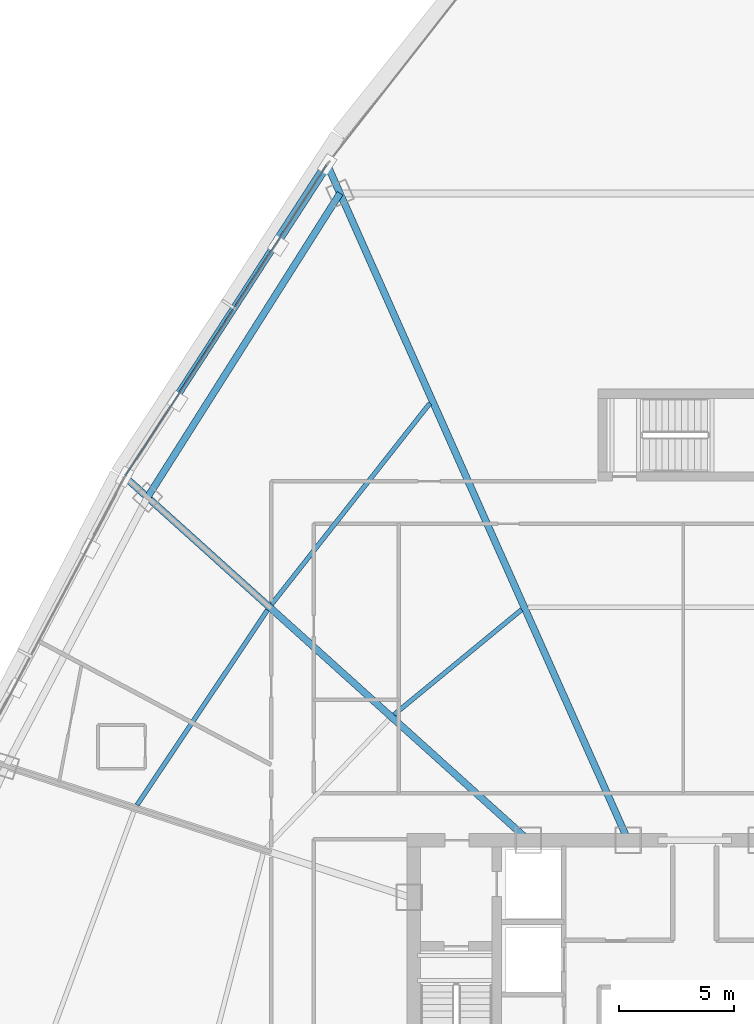
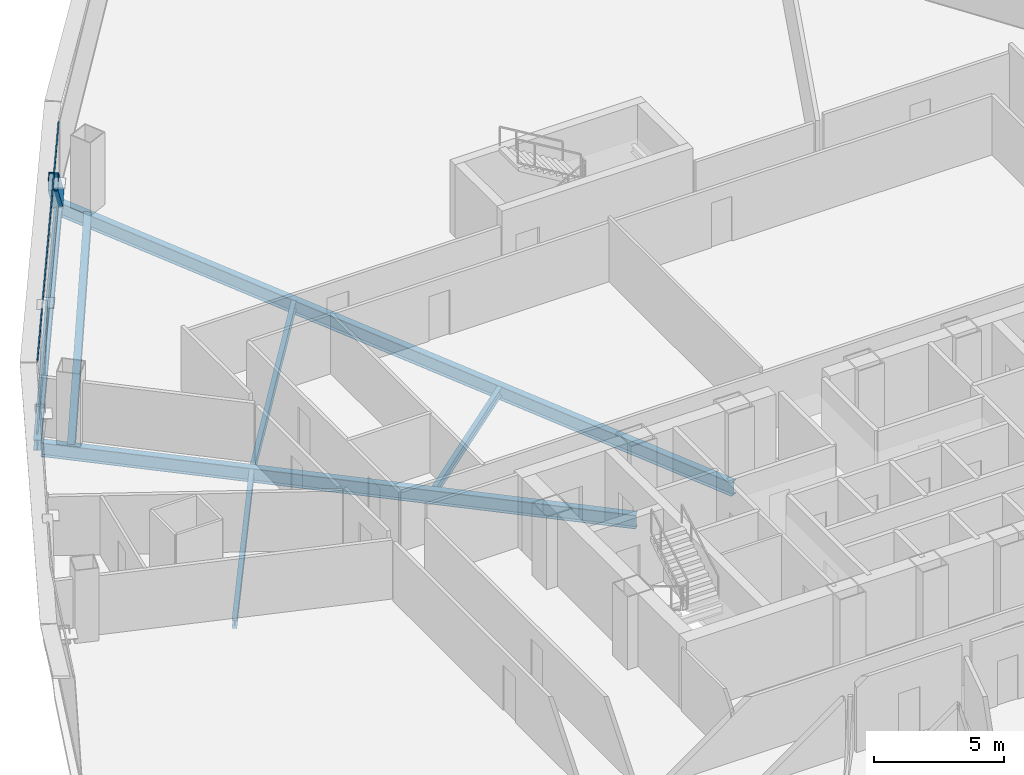
# One storey, part 19 of 40: 7 beams, 3 members, 1 element without a shape of its own.
"""IFC4 building model written with IfcOpenShell, lengths in metres."""

from ifc_helpers import new_model, si_unit, direction, frame, origin, origin_2d, place, context, subcontext, project, spatial, hollow_rectangle, i_section, extrude, source, transform, mapped, material, layer, layer_set, material_profile, profile_set, type_object, element, aggregate, save


model = new_model("IFC4")

# Units and contexts
model_context = context("Model", 3, precision=1e-05, world=origin(), true_north=direction((0.0, 1.0)))
body_context = subcontext(model_context, "Body", "Model", "MODEL_VIEW")
ifc_project = project(units=[si_unit("LENGTHUNIT", "METRE"), si_unit("AREAUNIT", "SQUARE_METRE"), si_unit("VOLUMEUNIT", "CUBIC_METRE"), si_unit("PLANEANGLEUNIT", "RADIAN"), si_unit("MASSUNIT", "GRAM", prefix="KILO"), si_unit("THERMODYNAMICTEMPERATUREUNIT", "KELVIN"), si_unit("POWERUNIT", "WATT")], contexts=[model_context])

# Site, building, storey
site_placement = place(None, origin())
site = spatial("IfcSite", under=ifc_project, at=site_placement, CompositionType="ELEMENT")
building_placement = place(site_placement, origin())
building = spatial("IfcBuilding", under=site, at=building_placement, Name="Yunzhuo Pagoda Commons", CompositionType="ELEMENT")
storey_placement = place(building_placement, frame((0.0, 0.0, 159.27001953125)))
storey = spatial("IfcBuildingStorey", under=building, at=storey_placement, Name="L40", CompositionType="ELEMENT", Elevation=159.27001953125)

# Beams
ifc_material_1 = material(Name="Structural steel Q355B", Category="steel")
ifc_material_profile_1 = material_profile(ifc_material_1, i_section(OverallWidth=0.199951171875, OverallDepth=0.39990234375, WebThickness=0.008056640625, FlangeThickness=0.012939453125, at=origin_2d()), Name="Structural steel Q355B")
ifc_profile_set_1 = profile_set([ifc_material_profile_1], Name="Structural steel Q355B")
beam_type_1 = type_object("IfcBeamType", Name="B-JS1 Joist HN 400x200x8x13", PredefinedType="JOIST", material=ifc_profile_set_1)
shared_shape_1 = source(origin(), body_context, "Body", "SweptSolid", [
    extrude(i_section(OverallWidth=0.199951171875, OverallDepth=0.39990234375, WebThickness=0.008056640625, FlangeThickness=0.012939453125, at=origin_2d()), origin(), (0.0, 0.0, 1.0), 10.186767578125),
])
beam_1_placement = place(storey_placement, frame((29.440673828125, 50.19921875, -0.4599609375), z_axis=(-0.555872145938, -0.831267801235, 0.0), x_axis=(0.831267801235, -0.555872145938, 0.0)))
element("IfcBeam", 1, at=beam_1_placement, inside=storey, type_object=beam_type_1, Name="L40 composite ring joist 2.10", PredefinedType="JOIST", context=body_context, shape_type="MappedRepresentation", body=[
    mapped(shared_shape_1, transform((0.0, 0.0, 0.0), scale=1.0)),
])
ifc_material_profile_2 = material_profile(ifc_material_1, i_section(OverallWidth=0.300048828125, OverallDepth=0.64990234375, WebThickness=0.012939453125, FlangeThickness=0.02197265625, at=origin_2d()), Name="Structural steel Q355B")
ifc_profile_set_2 = profile_set([ifc_material_profile_2], Name="Structural steel Q355B")
beam_type_2 = type_object("IfcBeamType", Name="B-RG2 Beam HN 650x300x13x22", PredefinedType="BEAM", material=ifc_profile_set_2)
shared_shape_2 = source(origin(), body_context, "Body", "SweptSolid", [
    extrude(i_section(OverallWidth=0.300048828125, OverallDepth=0.64990234375, WebThickness=0.012939453125, FlangeThickness=0.02197265625, at=origin_2d()), origin(), (0.0, 0.0, 1.0), 15.627685546875),
])
beam_2_placement = place(storey_placement, frame((32.593994140625, 68.302734375, -0.5849609375), z_axis=(-0.534952471728, -0.844882153316, 0.0), x_axis=(0.844882153316, -0.534952471728, 0.0)))
element("IfcBeam", 2, at=beam_2_placement, inside=storey, type_object=beam_type_2, Name="L40 column-ring beam 9", PredefinedType="BEAM", context=body_context, shape_type="MappedRepresentation", body=[
    mapped(shared_shape_2, transform((0.0, 0.0, 0.0), scale=1.0)),
])
shared_shape_3 = source(origin(), body_context, "Body", "SweptSolid", [
    extrude(i_section(OverallWidth=0.199951171875, OverallDepth=0.39990234375, WebThickness=0.008056640625, FlangeThickness=0.012939453125, at=origin_2d()), origin(), (0.0, 0.0, 1.0), 7.163818359375),
])
beam_3_placement = place(storey_placement, frame((40.47900390625, 50.21630859375, -0.4599609375), z_axis=(-0.772234119563, -0.635338071095, 0.0), x_axis=(0.635338071095, -0.772234119563, 0.0)))
element("IfcBeam", 3, at=beam_3_placement, inside=storey, type_object=beam_type_1, Name="L40 composite ring joist 1.9", PredefinedType="JOIST", context=body_context, shape_type="MappedRepresentation", body=[
    mapped(shared_shape_3, transform((0.0, 0.0, 0.0), scale=1.0)),
])
shared_shape_4 = source(origin(), body_context, "Body", "SweptSolid", [
    extrude(i_section(OverallWidth=0.199951171875, OverallDepth=0.39990234375, WebThickness=0.008056640625, FlangeThickness=0.012939453125, at=origin_2d()), origin(), (0.0, 0.0, 1.0), 11.109375),
])
beam_4_placement = place(storey_placement, frame((36.49951171875, 59.18505859375, -0.4599609375), z_axis=(-0.618600596935, -0.785705607382, 0.0), x_axis=(0.785705607382, -0.618600596935, 0.0)))
element("IfcBeam", 4, at=beam_4_placement, inside=storey, type_object=beam_type_1, Name="L40 composite ring joist 2.9", PredefinedType="JOIST", context=body_context, shape_type="MappedRepresentation", body=[
    mapped(shared_shape_4, transform((0.0, 0.0, 0.0), scale=1.0)),
])
shared_shape_5 = source(origin(), body_context, "Body", "SweptSolid", [
    extrude(i_section(OverallWidth=0.300048828125, OverallDepth=0.64990234375, WebThickness=0.012939453125, FlangeThickness=0.02197265625, at=origin_2d()), origin(), (0.0, 0.0, 1.0), 23.44287109375),
])
beam_5_placement = place(storey_placement, frame((23.359619140625, 55.886474609375, -0.5849609375), z_axis=(0.743139811502, -0.669136174901, 0.0), x_axis=(0.669136174901, 0.743139811502, 0.0)))
element("IfcBeam", 5, at=beam_5_placement, inside=storey, type_object=beam_type_2, Name="L40 radial floor girder F3C2", PredefinedType="BEAM", context=body_context, shape_type="MappedRepresentation", body=[
    mapped(shared_shape_5, transform((0.0, 0.0, 0.0), scale=1.0)),
])
shared_shape_6 = source(origin(), body_context, "Body", "SweptSolid", [
    extrude(i_section(OverallWidth=0.300048828125, OverallDepth=0.64990234375, WebThickness=0.012939453125, FlangeThickness=0.02197265625, at=origin_2d()), origin(), (0.0, 0.0, 1.0), 31.986328125),
])
beam_6_placement = place(storey_placement, frame((32.095947265625, 69.4208984375, -0.5849609375), z_axis=(0.406736795216, -0.913545389905, 0.0), x_axis=(0.913545389905, 0.406736795216, 0.0)))
element("IfcBeam", 6, at=beam_6_placement, inside=storey, type_object=beam_type_2, Name="L40 radial floor girder F3C1", PredefinedType="BEAM", context=body_context, shape_type="MappedRepresentation", body=[
    mapped(shared_shape_6, transform((0.0, 0.0, 0.0), scale=1.0)),
])
ifc_material_profile_3 = material_profile(ifc_material_1, i_section(OverallWidth=0.300048828125, OverallDepth=0.488037109375, WebThickness=0.010986328125, FlangeThickness=0.01806640625, at=origin_2d()), Name="Structural steel Q355B")
ifc_profile_set_3 = profile_set([ifc_material_profile_3], Name="Structural steel Q355B")
beam_type_3 = type_object("IfcBeamType", Name="B-SP1 Beam HM 488x300x11x18", PredefinedType="BEAM", material=ifc_profile_set_3)
shared_shape_7 = source(origin(), body_context, "Body", "SweptSolid", [
    extrude(i_section(OverallWidth=0.300048828125, OverallDepth=0.488037109375, WebThickness=0.010986328125, FlangeThickness=0.01806640625, at=origin_2d()), origin(), (0.0, 0.0, 1.0), 16.16943359375),
])
beam_7_placement = place(storey_placement, frame((32.032958984375, 69.5625, -0.50390625), z_axis=(-0.543528588708, -0.839390655927, 0.0), x_axis=(0.839390655927, -0.543528588708, 0.0)))
element("IfcBeam", 7, at=beam_7_placement, inside=storey, type_object=beam_type_3, Name="L40 facade edge spandrel beam F3.1", PredefinedType="BEAM", context=body_context, shape_type="MappedRepresentation", body=[
    mapped(shared_shape_7, transform((0.0, 0.0, 0.0), scale=1.0)),
])

# Member
ifc_material_profile_4 = material_profile(ifc_material_1, hollow_rectangle(XDim=0.39990234375, YDim=0.719970703125, WallThickness=0.02392578125, at=origin_2d()), Name="Structural steel Q355B")
ifc_profile_set_4 = profile_set([ifc_material_profile_4], Name="Structural steel Q355B")
member_type_1 = type_object("IfcMemberType", Name="M-DL2 Brace BOX 720x400x24", PredefinedType="BRACE", material=ifc_profile_set_4)
shared_shape_8 = source(origin(), body_context, "Body", "SweptSolid", [
    extrude(hollow_rectangle(XDim=0.39990234375, YDim=0.719970703125, WallThickness=0.02392578125, at=origin_2d()), origin(), (0.0, 0.0, 1.0), 5.46630859375),
])
member_1_placement = place(storey_placement, frame((32.032958984375, 69.5625, -0.260009765625), z_axis=(-0.40187518128, -0.620722523831, 0.67320122332), x_axis=(0.839427527283, -0.543471642718, 0.0)))
element("IfcMember", 8, at=member_1_placement, inside=storey, type_object=member_type_1, Name="L40 facade diamond brace F3.1L", PredefinedType="BRACE", context=body_context, shape_type="MappedRepresentation", body=[
    mapped(shared_shape_8, transform((0.0, 0.0, 0.0), scale=1.0)),
])

# Curtain wall, members
ifc_material_2 = material(Name="Anodized aluminium 6063-T6", Category="aluminium")
ifc_layer = layer(ifc_material_2, 0.14990234375)
ifc_layer_set = layer_set([ifc_layer], Name="Anodized aluminium 6063-T6")
curtain_wall_type = type_object("IfcCurtainWallType", Name="CW-MID Mid-Zone Ribbon Curtain Wall", PredefinedType="NOTDEFINED", material=ifc_layer_set)
curtain_wall_placement = place(storey_placement, origin())
curtain_wall = element("IfcCurtainWall", 9, at=curtain_wall_placement, inside=storey, type_object=curtain_wall_type, Name="L40 curtain wall CW-L40-F3B2", PredefinedType="NOTDEFINED")
ifc_material_profile_5 = material_profile(ifc_material_2, hollow_rectangle(XDim=0.054931640625, YDim=0.1298828125, WallThickness=0.00341796875, at=origin_2d()), Name="Anodized aluminium 6063-T6")
ifc_profile_set_5 = profile_set([ifc_material_profile_5], Name="Anodized aluminium 6063-T6")
member_type_2 = type_object("IfcMemberType", Name="CW-MID-T Transom RHS 130x55x3.5", PredefinedType="USERDEFINED", material=ifc_profile_set_5)
shared_shape_9 = source(origin(), body_context, "Body", "SweptSolid", [
    extrude(hollow_rectangle(XDim=0.054931640625, YDim=0.1298828125, WallThickness=0.00341796875, at=origin_2d()), origin(), (0.0, 0.0, 1.0), 16.049560546875),
])
member_2_placement = place(storey_placement, frame((32.00048828125, 69.51220703125, 0.027587890625), z_axis=(-0.543526245349, -0.839392173312, 0.0), x_axis=(0.839392173312, -0.543526245349, 0.0)))
member_2 = element("IfcMember", 10, at=member_2_placement, type_object=member_type_2, Name="CW transom 1.1", ObjectType="TRANSOM", PredefinedType="USERDEFINED", context=body_context, shape_type="MappedRepresentation", body=[
    mapped(shared_shape_9, transform((0.0, 0.0, 0.0), scale=1.0)),
])
member_3_placement = place(storey_placement, frame((32.00048828125, 69.51220703125, 3.392578125), z_axis=(-0.543526245349, -0.839392173312, 0.0), x_axis=(0.839392173312, -0.543526245349, 0.0)))
member_3 = element("IfcMember", 11, at=member_3_placement, type_object=member_type_2, Name="CW transom 1.2", ObjectType="TRANSOM", PredefinedType="USERDEFINED", context=body_context, shape_type="MappedRepresentation", body=[
    mapped(shared_shape_9, transform((0.0, 0.0, 0.0), scale=1.0)),
])
aggregate(curtain_wall, [member_2, member_3])

save(model, "model.ifc")
